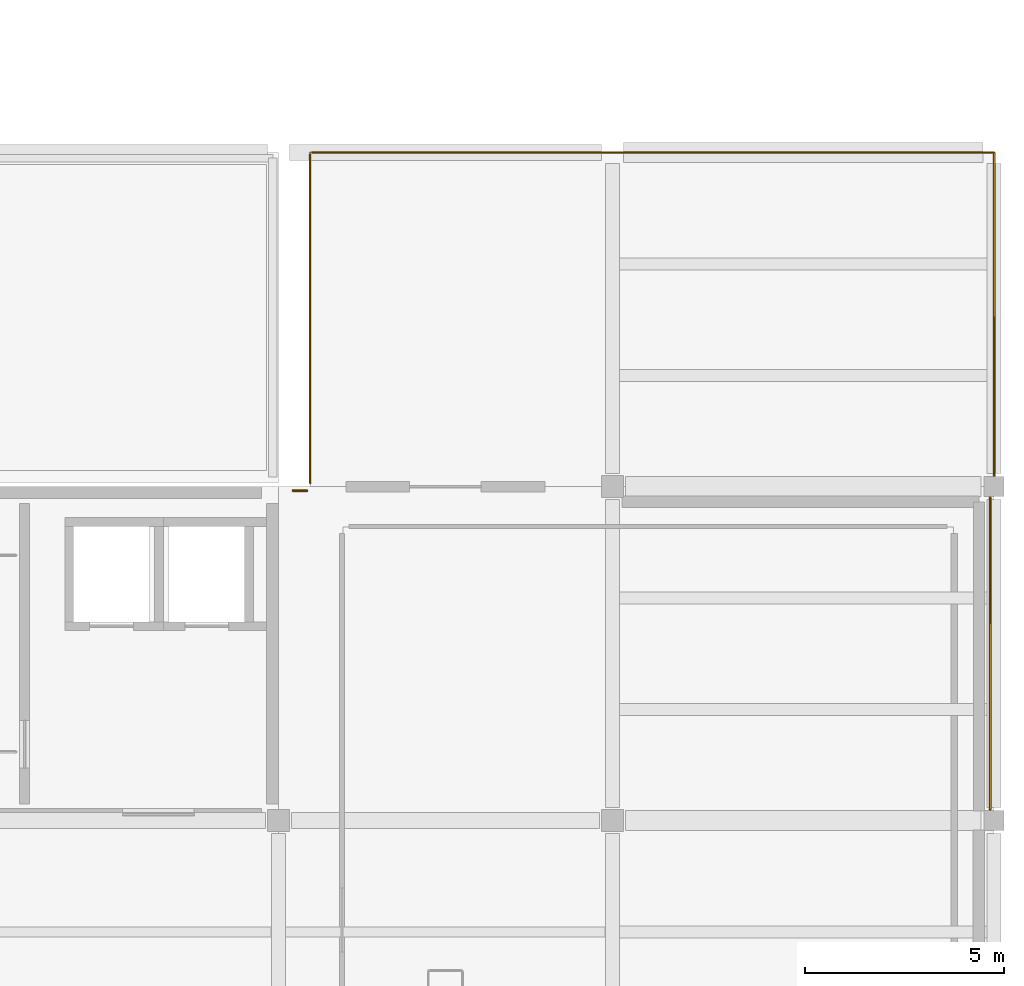
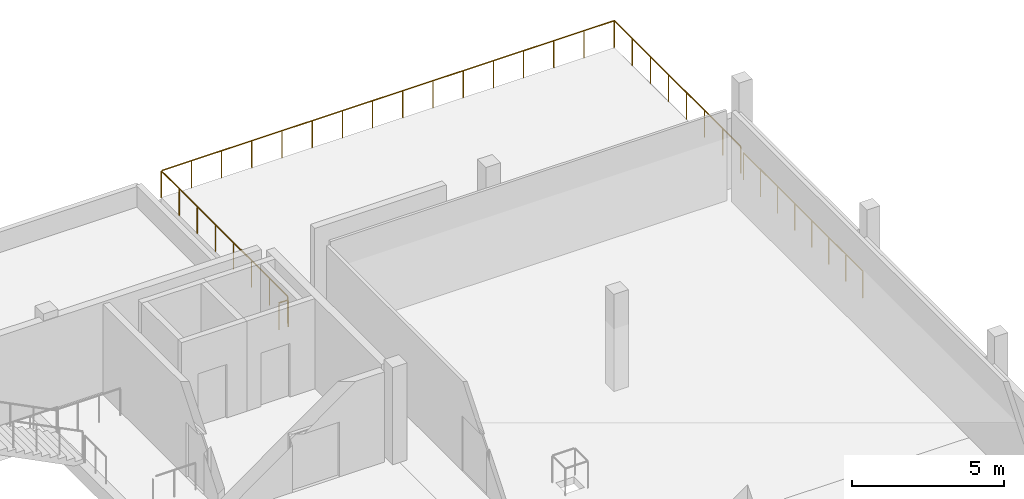
# One storey, part 74 of 74: 4 railings.
"""IFC4 building model written with IfcOpenShell, lengths in metres."""

from ifc_helpers import new_model, si_unit, derived_unit, direction, frame, origin, origin_2d, place, context, subcontext, project, spatial, circle, extrude, material, type_object, element, save


model = new_model("IFC4")

# Units and contexts
model_context = context("Model", 3, precision=1e-05, world=origin(), true_north=direction((0.0, 1.0)))
body_context = subcontext(model_context, "Body", "Model", "MODEL_VIEW")
ifc_project = project(units=[si_unit("LENGTHUNIT", "METRE"), si_unit("AREAUNIT", "SQUARE_METRE"), si_unit("VOLUMEUNIT", "CUBIC_METRE"), si_unit("PLANEANGLEUNIT", "RADIAN"), si_unit("MASSUNIT", "GRAM", prefix="KILO"), derived_unit("THERMALTRANSMITTANCEUNIT", [(si_unit("POWERUNIT", "WATT"), 1), (si_unit("LENGTHUNIT", "METRE"), -2), (si_unit("THERMODYNAMICTEMPERATUREUNIT", "KELVIN"), -1)])], contexts=[model_context])

# Site, building, storey
site_placement = place(None, origin())
site = spatial("IfcSite", under=ifc_project, at=site_placement, CompositionType="ELEMENT")
building_placement = place(site_placement, origin())
building = spatial("IfcBuilding", under=site, at=building_placement, Name="Elbkamm Science Centre", CompositionType="ELEMENT")
storey_placement = place(building_placement, frame((0.0, 0.0, 14.39990234375)))
storey = spatial("IfcBuildingStorey", under=building, at=storey_placement, Name="L03", CompositionType="ELEMENT", Elevation=14.39990234375)

# Railings
ifc_material = material(Name="Stainless steel EN 1.4401", Category="steel")
railing_type = type_object("IfcRailingType", Name="RAIL-EXT-GUARD-1100", PredefinedType="GUARDRAIL", material=ifc_material)
railing_1_placement = place(storey_placement, frame((160.800048828125, 67.199951171875, 0.0)))
element("IfcRailing", 1, at=railing_1_placement, inside=storey, type_object=railing_type, Name="L03 Outdoor Terrace Perimeter Guard 006", PredefinedType="GUARDRAIL", context=body_context, shape_type="SweptSolid", body=[
    extrude(circle(Radius=0.02392578125, at=origin_2d()), frame((0.0, 0.0, 1.078125), z_axis=(0.0, -1.0, 0.0), x_axis=(1.0, 0.0, 0.0)), (0.0, 0.0, 1.0), 8.320068359375),
    extrude(circle(Radius=0.02001953125, at=origin_2d()), origin(), (0.0, 0.0, 1.0), 1.048095703125),
    extrude(circle(Radius=0.02001953125, at=origin_2d()), frame((0.0, -1.1884765625, 0.0)), (0.0, 0.0, 1.0), 1.048095703125),
    extrude(circle(Radius=0.02001953125, at=origin_2d()), frame((0.0, -2.377197265625, 0.0)), (0.0, 0.0, 1.0), 1.048095703125),
    extrude(circle(Radius=0.02001953125, at=origin_2d()), frame((0.0, -3.565673828125, 0.0)), (0.0, 0.0, 1.0), 1.048095703125),
    extrude(circle(Radius=0.02001953125, at=origin_2d()), frame((0.0, -4.75439453125, 0.0)), (0.0, 0.0, 1.0), 1.048095703125),
    extrude(circle(Radius=0.02001953125, at=origin_2d()), frame((0.0, -5.94287109375, 0.0)), (0.0, 0.0, 1.0), 1.048095703125),
    extrude(circle(Radius=0.02001953125, at=origin_2d()), frame((0.0, -7.131591796875, 0.0)), (0.0, 0.0, 1.0), 1.048095703125),
    extrude(circle(Radius=0.02001953125, at=origin_2d()), frame((0.0, -8.320068359375, 0.0)), (0.0, 0.0, 1.0), 1.048095703125),
])
railing_2_placement = place(storey_placement, frame((143.60009765625, 58.8798828125, 0.0)))
element("IfcRailing", 2, at=railing_2_placement, inside=storey, type_object=railing_type, Name="L03 Outdoor Terrace Perimeter Guard 007", PredefinedType="GUARDRAIL", context=body_context, shape_type="SweptSolid", body=[
    extrude(circle(Radius=0.02392578125, at=origin_2d()), frame((0.0, 0.0, 1.078125), z_axis=(0.0, 1.0, 0.0), x_axis=(-1.0, 0.0, 0.0)), (0.0, 0.0, 1.0), 8.2900390625),
    extrude(circle(Radius=0.02392578125, at=origin_2d()), frame((0.030029296875, 8.320068359375, 1.078125), z_axis=(1.0, 0.0, 0.0), x_axis=(0.0, 1.0, 0.0)), (0.0, 0.0, 1.0), 17.169921875),
    extrude(circle(Radius=0.02001953125, at=origin_2d()), origin(), (0.0, 0.0, 1.0), 1.048095703125),
    extrude(circle(Radius=0.02001953125, at=origin_2d()), frame((0.0, 1.1884765625, 0.0)), (0.0, 0.0, 1.0), 1.048095703125),
    extrude(circle(Radius=0.02001953125, at=origin_2d()), frame((0.0, 2.377197265625, 0.0)), (0.0, 0.0, 1.0), 1.048095703125),
    extrude(circle(Radius=0.02001953125, at=origin_2d()), frame((0.0, 3.565673828125, 0.0)), (0.0, 0.0, 1.0), 1.048095703125),
    extrude(circle(Radius=0.02001953125, at=origin_2d()), frame((0.0, 4.75439453125, 0.0)), (0.0, 0.0, 1.0), 1.048095703125),
    extrude(circle(Radius=0.02001953125, at=origin_2d()), frame((0.0, 5.94287109375, 0.0)), (0.0, 0.0, 1.0), 1.048095703125),
    extrude(circle(Radius=0.02001953125, at=origin_2d()), frame((0.0, 7.131591796875, 0.0)), (0.0, 0.0, 1.0), 1.048095703125),
    extrude(circle(Radius=0.02001953125, at=origin_2d()), frame((0.0, 8.320068359375, 0.0)), (0.0, 0.0, 1.0), 1.048095703125),
    extrude(circle(Radius=0.02001953125, at=origin_2d()), frame((1.146728515625, 8.320068359375, 0.0)), (0.0, 0.0, 1.0), 1.048095703125),
    extrude(circle(Radius=0.02001953125, at=origin_2d()), frame((2.293212890625, 8.320068359375, 0.0)), (0.0, 0.0, 1.0), 1.048095703125),
    extrude(circle(Radius=0.02001953125, at=origin_2d()), frame((3.43994140625, 8.320068359375, 0.0)), (0.0, 0.0, 1.0), 1.048095703125),
    extrude(circle(Radius=0.02001953125, at=origin_2d()), frame((4.586669921875, 8.320068359375, 0.0)), (0.0, 0.0, 1.0), 1.048095703125),
    extrude(circle(Radius=0.02001953125, at=origin_2d()), frame((5.7333984375, 8.320068359375, 0.0)), (0.0, 0.0, 1.0), 1.048095703125),
    extrude(circle(Radius=0.02001953125, at=origin_2d()), frame((6.8798828125, 8.320068359375, 0.0)), (0.0, 0.0, 1.0), 1.048095703125),
    extrude(circle(Radius=0.02001953125, at=origin_2d()), frame((8.026611328125, 8.320068359375, 0.0)), (0.0, 0.0, 1.0), 1.048095703125),
    extrude(circle(Radius=0.02001953125, at=origin_2d()), frame((9.17333984375, 8.320068359375, 0.0)), (0.0, 0.0, 1.0), 1.048095703125),
    extrude(circle(Radius=0.02001953125, at=origin_2d()), frame((10.320068359375, 8.320068359375, 0.0)), (0.0, 0.0, 1.0), 1.048095703125),
    extrude(circle(Radius=0.02001953125, at=origin_2d()), frame((11.466552734375, 8.320068359375, 0.0)), (0.0, 0.0, 1.0), 1.048095703125),
    extrude(circle(Radius=0.02001953125, at=origin_2d()), frame((12.61328125, 8.320068359375, 0.0)), (0.0, 0.0, 1.0), 1.048095703125),
    extrude(circle(Radius=0.02001953125, at=origin_2d()), frame((13.760009765625, 8.320068359375, 0.0)), (0.0, 0.0, 1.0), 1.048095703125),
    extrude(circle(Radius=0.02001953125, at=origin_2d()), frame((14.90673828125, 8.320068359375, 0.0)), (0.0, 0.0, 1.0), 1.048095703125),
    extrude(circle(Radius=0.02001953125, at=origin_2d()), frame((16.05322265625, 8.320068359375, 0.0)), (0.0, 0.0, 1.0), 1.048095703125),
    extrude(circle(Radius=0.02001953125, at=origin_2d()), frame((17.199951171875, 8.320068359375, 0.0)), (0.0, 0.0, 1.0), 1.048095703125),
])
railing_3_placement = place(storey_placement, frame((143.166259765625, 58.699951171875, 0.0)))
element("IfcRailing", 3, at=railing_3_placement, inside=storey, type_object=railing_type, Name="L03 Slab Edge Perimeter Guard 085", PredefinedType="GUARDRAIL", context=body_context, shape_type="SweptSolid", body=[
    extrude(circle(Radius=0.02392578125, at=origin_2d()), frame((0.0, 0.0, 1.078125), z_axis=(1.0, 0.0, 0.0), x_axis=(0.0, 1.0, 0.0)), (0.0, 0.0, 1.0), 0.35400390625),
    extrude(circle(Radius=0.02001953125, at=origin_2d()), origin(), (0.0, 0.0, 1.0), 1.048095703125),
    extrude(circle(Radius=0.02001953125, at=origin_2d()), frame((0.35400390625, 0.0, 0.0)), (0.0, 0.0, 1.0), 1.048095703125),
])
railing_4_placement = place(storey_placement, frame((160.699951171875, 58.52001953125, 0.0)))
element("IfcRailing", 4, at=railing_4_placement, inside=storey, type_object=railing_type, Name="L03 Slab Edge Perimeter Guard 086", PredefinedType="GUARDRAIL", context=body_context, shape_type="SweptSolid", body=[
    extrude(circle(Radius=0.02392578125, at=origin_2d()), frame((0.0, 0.0, 1.078125), z_axis=(0.0, -1.0, 0.0), x_axis=(1.0, 0.0, 0.0)), (0.0, 0.0, 1.0), 7.840087890625),
    extrude(circle(Radius=0.02001953125, at=origin_2d()), origin(), (0.0, 0.0, 1.0), 1.048095703125),
    extrude(circle(Radius=0.02001953125, at=origin_2d()), frame((0.0, -1.1201171875, 0.0)), (0.0, 0.0, 1.0), 1.048095703125),
    extrude(circle(Radius=0.02001953125, at=origin_2d()), frame((0.0, -2.239990234375, 0.0)), (0.0, 0.0, 1.0), 1.048095703125),
    extrude(circle(Radius=0.02001953125, at=origin_2d()), frame((0.0, -3.360107421875, 0.0)), (0.0, 0.0, 1.0), 1.048095703125),
    extrude(circle(Radius=0.02001953125, at=origin_2d()), frame((0.0, -4.47998046875, 0.0)), (0.0, 0.0, 1.0), 1.048095703125),
    extrude(circle(Radius=0.02001953125, at=origin_2d()), frame((0.0, -5.60009765625, 0.0)), (0.0, 0.0, 1.0), 1.048095703125),
    extrude(circle(Radius=0.02001953125, at=origin_2d()), frame((0.0, -6.719970703125, 0.0)), (0.0, 0.0, 1.0), 1.048095703125),
    extrude(circle(Radius=0.02001953125, at=origin_2d()), frame((0.0, -7.840087890625, 0.0)), (0.0, 0.0, 1.0), 1.048095703125),
])

save(model, "model.ifc")
